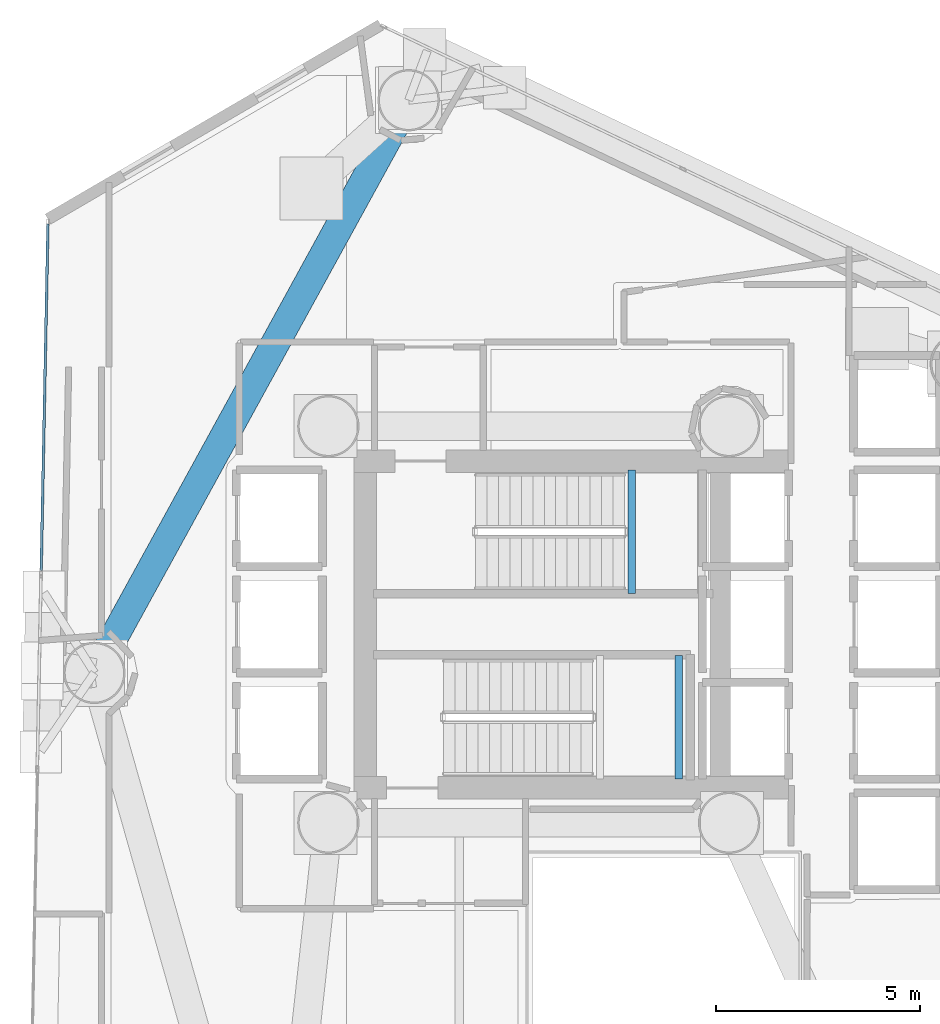
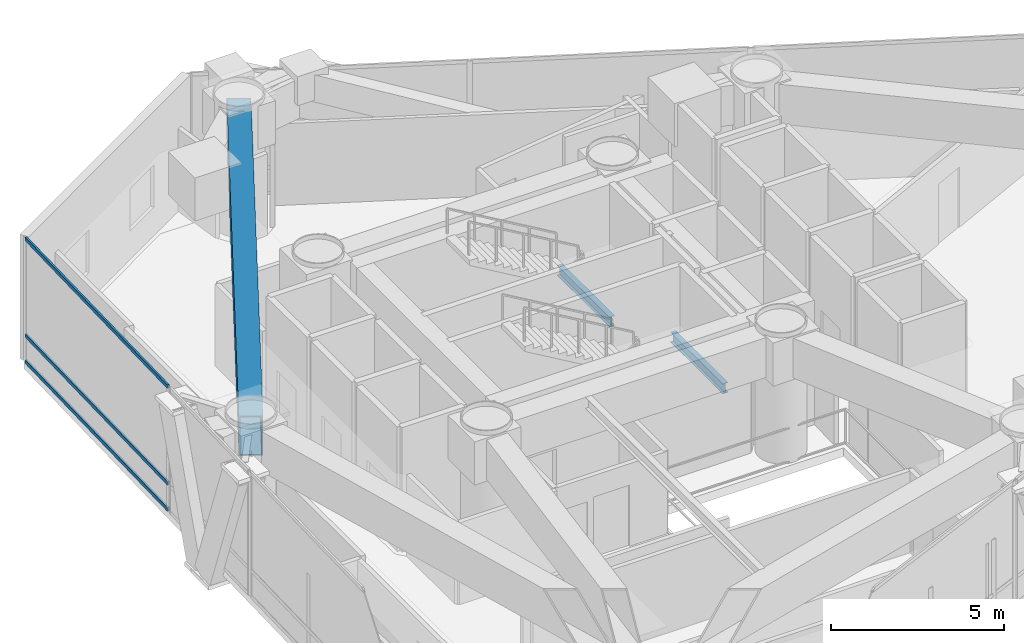
# One storey, part 8 of 22: 3 beams, 3 members, 1 element without a shape of its own.
"""IFC4 building model written with IfcOpenShell, lengths in metres."""

from ifc_helpers import new_model, si_unit, direction, frame, origin, origin_2d, place, context, subcontext, project, spatial, hollow_rectangle, i_section, extrude, material, layer, layer_set, material_profile, profile_set, type_object, element, aggregate, save


model = new_model("IFC4")

# Units and contexts
model_context = context("Model", 3, precision=1e-05, world=origin(), true_north=direction((0.0, 1.0)))
body_context = subcontext(model_context, "Body", "Model", "MODEL_VIEW")
ifc_project = project(units=[si_unit("LENGTHUNIT", "METRE"), si_unit("AREAUNIT", "SQUARE_METRE"), si_unit("VOLUMEUNIT", "CUBIC_METRE"), si_unit("PLANEANGLEUNIT", "RADIAN"), si_unit("MASSUNIT", "GRAM", prefix="KILO")], contexts=[model_context])

# Site, building, storey
site_placement = place(None, origin())
site = spatial("IfcSite", under=ifc_project, at=site_placement, CompositionType="ELEMENT")
building_placement = place(site_placement, origin())
building = spatial("IfcBuilding", under=site, at=building_placement, Name="Qianvela Tower", CompositionType="ELEMENT")
storey_placement = place(building_placement, frame((0.0, 0.0, 138.5)))
storey = spatial("IfcBuildingStorey", under=building, at=storey_placement, Name="L35", CompositionType="ELEMENT", Elevation=138.5)

# Beams
ifc_material_1 = material(Name="Steel Q355B", Category="steel")
ifc_material_profile_1 = material_profile(ifc_material_1, i_section(OverallWidth=0.175048828125, OverallDepth=0.35009765625, WebThickness=0.007080078125, FlangeThickness=0.010986328125, at=origin_2d()), Name="HN350x175x7x11")
ifc_profile_set_1 = profile_set([ifc_material_profile_1], Name="Steel Q355B")
beam_type_1 = type_object("IfcBeamType", Name="BM-HN350-JOIST", PredefinedType="JOIST", material=ifc_profile_set_1)
for number, where, z_axis, x_axis, name in (
    (1, (36.02001953125, 29.4599609375, 1.925048828125), (0.0, 1.0, 0.0), (-1.0, 0.0, 0.0), "L35 Stair ST-1 Landing Support Beam 1.1"),
    (2, (37.169921875, 24.919921875, 1.925048828125), (0.0, 1.0, 0.0), (-1.0, 0.0, 0.0), "L35 Stair ST-2 Landing Support Beam 1.2"),
):
    element("IfcBeam", number, at=place(storey_placement, frame(where, z_axis=z_axis, x_axis=x_axis)), inside=storey, type_object=beam_type_1, Name=name, PredefinedType="JOIST", context=body_context, shape_type="SweptSolid", body=[
        extrude(i_section(OverallWidth=0.175048828125, OverallDepth=0.35009765625, WebThickness=0.007080078125, FlangeThickness=0.010986328125, at=origin_2d()), origin(), (0.0, 0.0, 1.0), 3.02001953125),
    ])
ifc_material_2 = material(Name="Steel Q420GJC", Category="steel")
ifc_material_profile_2 = material_profile(ifc_material_2, hollow_rectangle(XDim=0.699951171875, YDim=1.39990234375, WallThickness=0.0400390625, at=origin_2d()), Name="TG-BOX-1400x700x40")
ifc_profile_set_2 = profile_set([ifc_material_profile_2], Name="Steel Q420GJC")
beam_type_2 = type_object("IfcBeamType", Name="BM-TG-RAD-1400", PredefinedType="BEAM", material=ifc_profile_set_2)
beam_placement = place(storey_placement, frame((30.56396484375, 41.52099609375, 3.677978515625), z_axis=(-0.481118353038, -0.876655650965, 0.0), x_axis=(0.876655650965, -0.481118353038, 0.0)))
element("IfcBeam", 3, at=beam_placement, inside=storey, type_object=beam_type_2, Name="L35 Perimeter Belt-Truss Top Ring Girder 3", PredefinedType="BEAM", context=body_context, shape_type="SweptSolid", body=[
    extrude(hollow_rectangle(XDim=0.699951171875, YDim=1.39990234375, WallThickness=0.0400390625, at=origin_2d()), origin(), (0.0, 0.0, 1.0), 15.975341796875),
])

# Curtain wall, members
ifc_material_3 = material(Name="Anodised Architectural Aluminium and Low-E Glass", Category="aluminium")
ifc_layer = layer(ifc_material_3, 0.169921875)
ifc_layer_set = layer_set([ifc_layer], Name="Anodised Architectural Aluminium and Low-E Glass")
curtain_wall_type = type_object("IfcCurtainWallType", Name="CW-COLIV-Z34", PredefinedType="USERDEFINED", material=ifc_layer_set)
curtain_wall_placement = place(storey_placement, origin())
curtain_wall = element("IfcCurtainWall", 4, at=curtain_wall_placement, inside=storey, type_object=curtain_wall_type, Name="L35 CW-COLIV-Z34 Curtain Wall 04A", ObjectType="CURTAIN_WALL_SYSTEM", PredefinedType="USERDEFINED")
ifc_material_4 = material(Name="Anodised Architectural Aluminium 6063-T6", Category="aluminium")
ifc_material_profile_3 = material_profile(ifc_material_4, hollow_rectangle(XDim=0.06494140625, YDim=0.1298828125, WallThickness=0.00439453125, at=origin_2d()), Name="ALU-TRAN-65x130")
ifc_profile_set_3 = profile_set([ifc_material_profile_3], Name="Anodised Architectural Aluminium 6063-T6")
member_type = type_object("IfcMemberType", Name="CW-COLIV-Z34-TRAN", PredefinedType="USERDEFINED", material=ifc_profile_set_3)
member_1_placement = place(storey_placement, frame((21.740966796875, 38.49951171875, 0.032470703125), z_axis=(-0.019548210482, -0.999808915477, 0.0), x_axis=(0.999808915477, -0.019548210482, 0.0)))
member_1 = element("IfcMember", 5, at=member_1_placement, type_object=member_type, Name="CW-4 transom 1.1", ObjectType="TRANSOM", PredefinedType="USERDEFINED", context=body_context, shape_type="SweptSolid", body=[
    extrude(hollow_rectangle(XDim=0.06494140625, YDim=0.1298828125, WallThickness=0.00439453125, at=origin_2d()), origin(), (0.0, 0.0, 1.0), 8.480224609375),
])
member_2_placement = place(storey_placement, frame((21.740966796875, 38.49951171875, 0.949951171875), z_axis=(-0.019548210482, -0.999808915477, 0.0), x_axis=(0.999808915477, -0.019548210482, 0.0)))
member_2 = element("IfcMember", 6, at=member_2_placement, type_object=member_type, Name="CW-4 transom 1.2", ObjectType="TRANSOM", PredefinedType="USERDEFINED", context=body_context, shape_type="SweptSolid", body=[
    extrude(hollow_rectangle(XDim=0.06494140625, YDim=0.1298828125, WallThickness=0.00439453125, at=origin_2d()), origin(), (0.0, 0.0, 1.0), 8.480224609375),
])
member_3_placement = place(storey_placement, frame((21.740966796875, 38.49951171875, 4.347412109375), z_axis=(-0.019548210482, -0.999808915477, 0.0), x_axis=(0.999808915477, -0.019548210482, 0.0)))
member_3 = element("IfcMember", 7, at=member_3_placement, type_object=member_type, Name="CW-4 transom 1.3", ObjectType="TRANSOM", PredefinedType="USERDEFINED", context=body_context, shape_type="SweptSolid", body=[
    extrude(hollow_rectangle(XDim=0.06494140625, YDim=0.1298828125, WallThickness=0.00439453125, at=origin_2d()), origin(), (0.0, 0.0, 1.0), 8.480224609375),
])
aggregate(curtain_wall, [member_1, member_2, member_3])

save(model, "model.ifc")
